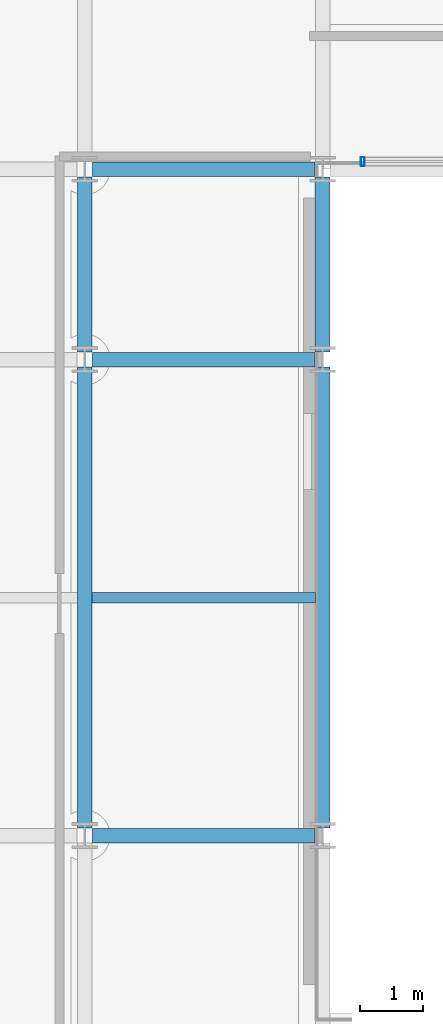
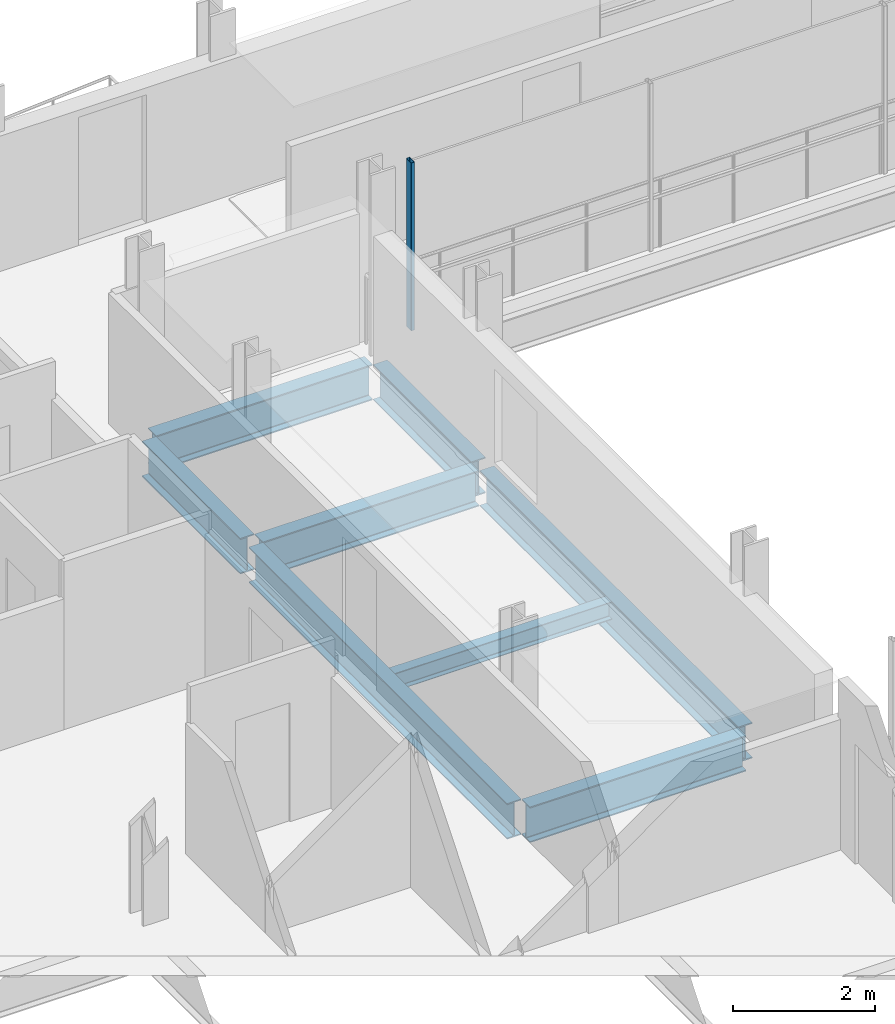
# One storey, part 10 of 38: 8 beams, 1 member, 1 element without a shape of its own.
"""IFC4 building model written with IfcOpenShell, lengths in metres."""

from ifc_helpers import new_model, si_unit, direction, frame, origin, origin_2d, place, context, subcontext, project, spatial, hollow_rectangle, i_section, extrude, material, layer, layer_set, material_profile, profile_set, type_object, element, aggregate, save


model = new_model("IFC4")

# Units and contexts
model_context = context("Model", 3, precision=1e-05, world=origin(), true_north=direction((0.0, 1.0)))
body_context = subcontext(model_context, "Body", "Model", "MODEL_VIEW")
ifc_project = project(units=[si_unit("LENGTHUNIT", "METRE"), si_unit("AREAUNIT", "SQUARE_METRE"), si_unit("VOLUMEUNIT", "CUBIC_METRE"), si_unit("PLANEANGLEUNIT", "RADIAN"), si_unit("MASSUNIT", "GRAM", prefix="KILO")], contexts=[model_context])

# Site, building, storey
site_placement = place(None, origin())
site = spatial("IfcSite", under=ifc_project, at=site_placement, CompositionType="ELEMENT")
building_placement = place(site_placement, origin())
building = spatial("IfcBuilding", under=site, at=building_placement, Name="Brevholm Reach", CompositionType="ELEMENT")
storey_placement = place(building_placement, frame((0.0, 0.0, 166.60009765625)))
storey = spatial("IfcBuildingStorey", under=building, at=storey_placement, Name="L50", CompositionType="ELEMENT", Elevation=166.60009765625)

# Beams
ifc_material_1 = material(Name="Structural Steel S355J2", Category="steel")
ifc_material_profile_1 = material_profile(ifc_material_1, i_section(OverallWidth=0.1650390625, OverallDepth=0.303466796875, WebThickness=0.006103515625, FlangeThickness=0.01025390625, FilletRadius=0.0087890625, at=origin_2d()), Name="UKB 305x165x40")
ifc_profile_set_1 = profile_set([ifc_material_profile_1], Name="Structural Steel S355J2")
beam_type_1 = type_object("IfcBeamType", Name="BM-B305", PredefinedType="BEAM", material=ifc_profile_set_1)
beam_1_placement = place(storey_placement, frame((18.114501953125, 19.75, -0.371826171875), z_axis=(1.0, 0.0, 0.0), x_axis=(0.0, 1.0, 0.0)))
element("IfcBeam", 1, at=beam_1_placement, inside=storey, type_object=beam_type_1, Name="L50 Composite Secondary Floor Beam", PredefinedType="BEAM", context=body_context, shape_type="SweptSolid", body=[
    extrude(i_section(OverallWidth=0.1650390625, OverallDepth=0.303466796875, WebThickness=0.006103515625, FlangeThickness=0.01025390625, FilletRadius=0.0087890625, at=origin_2d()), origin(), (0.0, 0.0, 1.0), 3.52099609375),
])
ifc_material_2 = material(Name="Structural Steel S355J2", Category="steel")
ifc_material_profile_2 = material_profile(ifc_material_2, i_section(OverallWidth=0.22900390625, OverallDepth=0.6123046875, WebThickness=0.011962890625, FlangeThickness=0.01953125, FilletRadius=0.0126953125, at=origin_2d()), Name="UKB 610x229x125")
ifc_profile_set_2 = profile_set([ifc_material_profile_2], Name="Structural Steel S355J2")
beam_type_2 = type_object("IfcBeamType", Name="BM-SP610", PredefinedType="SPANDREL", material=ifc_profile_set_2)
for number, where, z_axis, x_axis, name in (
    (2, (18.1201171875, 16.0, -0.526123046875), (1.0, 0.0, 0.0), (0.0, 1.0, 0.0), "L50 SP-01 Framing Beam"),
    (3, (18.1201171875, 23.5, -0.526123046875), (1.0, 0.0, 0.0), (0.0, 1.0, 0.0), "L50 SP-01 Framing Beam"),
    (4, (18.1201171875, 26.5, -0.526123046875), (1.0, 0.0, 0.0), (0.0, 1.0, 0.0), "L50 SP-01 Framing Beam"),
):
    element("IfcBeam", number, at=place(storey_placement, frame(where, z_axis=z_axis, x_axis=x_axis)), inside=storey, type_object=beam_type_2, Name=name, PredefinedType="SPANDREL", context=body_context, shape_type="SweptSolid", body=[
        extrude(i_section(OverallWidth=0.22900390625, OverallDepth=0.6123046875, WebThickness=0.011962890625, FlangeThickness=0.01953125, FilletRadius=0.0126953125, at=origin_2d()), origin(), (0.0, 0.0, 1.0), 3.509765625),
    ])
beam_2_placement = place(storey_placement, frame((18.0, 16.1201171875, -0.526123046875), z_axis=(0.0, 1.0, 0.0), x_axis=(-1.0, 0.0, 0.0)))
element("IfcBeam", 5, at=beam_2_placement, inside=storey, type_object=beam_type_2, Name="L50 SP-01 Framing Beam", PredefinedType="SPANDREL", context=body_context, shape_type="SweptSolid", body=[
    extrude(i_section(OverallWidth=0.22900390625, OverallDepth=0.6123046875, WebThickness=0.011962890625, FlangeThickness=0.01953125, FilletRadius=0.0126953125, at=origin_2d()), origin(), (0.0, 0.0, 1.0), 7.259765625),
])
beam_3_placement = place(storey_placement, frame((18.0, 23.6201171875, -0.526123046875), z_axis=(0.0, 1.0, 0.0), x_axis=(-1.0, 0.0, 0.0)))
element("IfcBeam", 6, at=beam_3_placement, inside=storey, type_object=beam_type_2, Name="L50 SP-01 Framing Beam", PredefinedType="SPANDREL", context=body_context, shape_type="SweptSolid", body=[
    extrude(i_section(OverallWidth=0.22900390625, OverallDepth=0.6123046875, WebThickness=0.011962890625, FlangeThickness=0.01953125, FilletRadius=0.0126953125, at=origin_2d()), origin(), (0.0, 0.0, 1.0), 2.759765625),
])
beam_4_placement = place(storey_placement, frame((21.75, 16.1201171875, -0.526123046875), z_axis=(0.0, 1.0, 0.0), x_axis=(-1.0, 0.0, 0.0)))
element("IfcBeam", 7, at=beam_4_placement, inside=storey, type_object=beam_type_2, Name="L50 SP-01 Framing Beam", PredefinedType="SPANDREL", context=body_context, shape_type="SweptSolid", body=[
    extrude(i_section(OverallWidth=0.22900390625, OverallDepth=0.6123046875, WebThickness=0.011962890625, FlangeThickness=0.01953125, FilletRadius=0.0126953125, at=origin_2d()), origin(), (0.0, 0.0, 1.0), 7.259765625),
])
beam_5_placement = place(storey_placement, frame((21.75, 23.6201171875, -0.526123046875), z_axis=(0.0, 1.0, 0.0), x_axis=(-1.0, 0.0, 0.0)))
element("IfcBeam", 8, at=beam_5_placement, inside=storey, type_object=beam_type_2, Name="L50 SP-01 Framing Beam", PredefinedType="SPANDREL", context=body_context, shape_type="SweptSolid", body=[
    extrude(i_section(OverallWidth=0.22900390625, OverallDepth=0.6123046875, WebThickness=0.011962890625, FlangeThickness=0.01953125, FilletRadius=0.0126953125, at=origin_2d()), origin(), (0.0, 0.0, 1.0), 2.759765625),
])

# Curtain wall, member
ifc_material_3 = material(Name="Dark Anodised Aluminium 6063-T6 and Solar-Control Glass", Category="aluminium")
ifc_layer = layer(ifc_material_3, 0.139892578125)
ifc_layer_set = layer_set([ifc_layer], Name="Dark Anodised Aluminium 6063-T6 and Solar-Control Glass")
curtain_wall_type = type_object("IfcCurtainWallType", Name="CW-02", PredefinedType="NOTDEFINED", material=ifc_layer_set)
curtain_wall_placement = place(storey_placement, origin())
curtain_wall = element("IfcCurtainWall", 9, at=curtain_wall_placement, inside=storey, type_object=curtain_wall_type, Name="L50 Curtain Wall CW-02", PredefinedType="NOTDEFINED")
ifc_material_4 = material(Name="Dark Anodised Aluminium 6063-T6", Category="aluminium")
ifc_material_profile_3 = material_profile(ifc_material_4, hollow_rectangle(XDim=0.06005859375, YDim=0.139892578125, WallThickness=0.0048828125, InnerFilletRadius=0.0048828125, OuterFilletRadius=0.010009765625, at=origin_2d()), Name="RHS 140x60x5")
ifc_profile_set_3 = profile_set([ifc_material_profile_3], Name="Dark Anodised Aluminium 6063-T6")
member_type = type_object("IfcMemberType", Name="CWM-140", PredefinedType="MULLION", material=ifc_profile_set_3)
member_placement = place(storey_placement, frame((22.3798828125, 26.6201171875, 0.0), z_axis=(0.0, 0.0, 1.0), x_axis=(-1.0, 0.0, 0.0)))
member = element("IfcMember", 10, at=member_placement, type_object=member_type, Name="CM-140 Mullion 5", PredefinedType="MULLION", context=body_context, shape_type="SweptSolid", body=[
    extrude(hollow_rectangle(XDim=0.06005859375, YDim=0.139892578125, WallThickness=0.0048828125, InnerFilletRadius=0.0048828125, OuterFilletRadius=0.010009765625, at=origin_2d()), origin(), (0.0, 0.0, 1.0), 2.8798828125),
])
aggregate(curtain_wall, [member])

save(model, "model.ifc")
